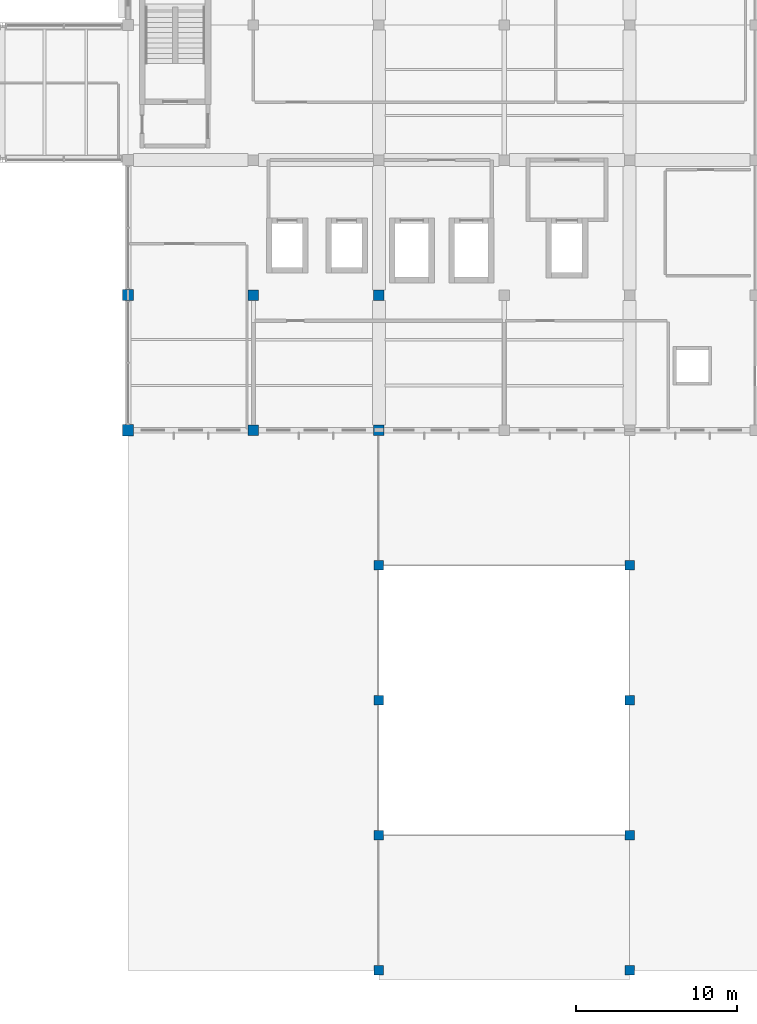
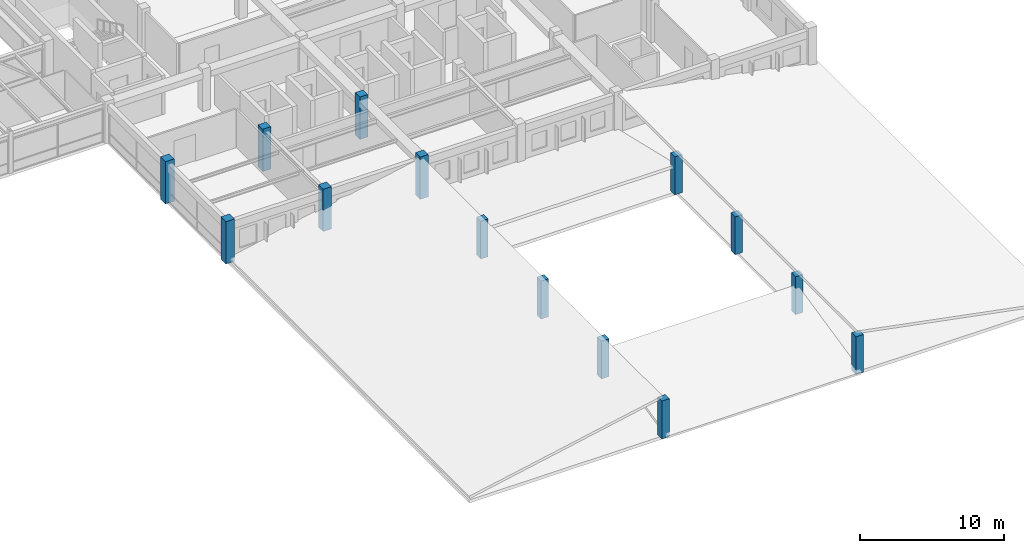
# One storey, part 3 of 49: 14 columns.
"""IFC4 building model written with IfcOpenShell, lengths in metres."""

from ifc_helpers import new_model, si_unit, direction, frame, origin, origin_2d, place, context, subcontext, project, spatial, rectangle, extrude, material, material_profile, profile_set, type_object, element, save


model = new_model("IFC4")

# Units and contexts
model_context = context("Model", 3, precision=1e-05, world=origin(), true_north=direction((0.0, 1.0)))
body_context = subcontext(model_context, "Body", "Model", "MODEL_VIEW")
ifc_project = project(units=[si_unit("LENGTHUNIT", "METRE"), si_unit("AREAUNIT", "SQUARE_METRE"), si_unit("VOLUMEUNIT", "CUBIC_METRE"), si_unit("PLANEANGLEUNIT", "RADIAN"), si_unit("MASSUNIT", "GRAM", prefix="KILO"), si_unit("THERMODYNAMICTEMPERATUREUNIT", "KELVIN"), si_unit("POWERUNIT", "WATT")], contexts=[model_context])

# Site, building, storey
site_placement = place(None, origin())
site = spatial("IfcSite", under=ifc_project, at=site_placement, CompositionType="ELEMENT")
building_placement = place(site_placement, origin())
building = spatial("IfcBuilding", under=site, at=building_placement, Name="Srebrne Nadtorze General Hospital", CompositionType="ELEMENT")
storey_placement = place(building_placement, frame((0.0, 0.0, 26.10009765625)))
storey = spatial("IfcBuildingStorey", under=building, at=storey_placement, Name="L06", CompositionType="ELEMENT", Elevation=26.10009765625)

# Columns
ifc_material_1 = material(Name="Concrete C35/45", Category="concrete")
ifc_material_profile_1 = material_profile(ifc_material_1, rectangle(XDim=0.60009765625, YDim=0.60009765625, at=origin_2d()), Name="RC-COL-600x600")
ifc_profile_set_1 = profile_set([ifc_material_profile_1], Name="Concrete C35/45")
column_type_1 = type_object("IfcColumnType", Name="Reinforced concrete column 600x600", PredefinedType="COLUMN", material=ifc_profile_set_1)
for number, where, z_axis, x_axis, name in (
    (1, (117.0, 0.0, 0.0), (0.0, 0.0, 1.0), (1.0, 0.0, 0.0), "Pavilion roof ridge column CLN 01"),
    (2, (117.0, 8.39990234375, 0.0), (0.0, 0.0, 1.0), (1.0, 0.0, 0.0), "Pavilion roof ridge column CLN 02"),
    (3, (117.0, 16.800048828125, 0.0), (0.0, 0.0, 1.0), (1.0, 0.0, 0.0), "Pavilion roof ridge column CLN 03"),
    (4, (117.0, 25.199951171875, 0.0), (0.0, 0.0, 1.0), (1.0, 0.0, 0.0), "Pavilion roof ridge column CLN 04"),
    (5, (132.60009765625, 0.0, 0.0), (0.0, 0.0, 1.0), (1.0, 0.0, 0.0), "Pavilion roof ridge column CLN 06"),
    (6, (132.60009765625, 8.39990234375, 0.0), (0.0, 0.0, 1.0), (1.0, 0.0, 0.0), "Pavilion roof ridge column CLN 07"),
    (7, (132.60009765625, 16.800048828125, 0.0), (0.0, 0.0, 1.0), (1.0, 0.0, 0.0), "Pavilion roof ridge column CLN 08"),
    (8, (132.60009765625, 25.199951171875, 0.0), (0.0, 0.0, 1.0), (1.0, 0.0, 0.0), "Pavilion roof ridge column CLN 09"),
):
    element("IfcColumn", number, at=place(storey_placement, frame(where, z_axis=z_axis, x_axis=x_axis)), inside=storey, type_object=column_type_1, Name=name, PredefinedType="COLUMN", context=body_context, shape_type="SweptSolid", body=[
        extrude(rectangle(XDim=0.60009765625, YDim=0.60009765625, at=origin_2d()), origin(), (0.0, 0.0, 1.0), 3.219970703125),
    ])
ifc_material_2 = material(Name="Concrete C35/45", Category="concrete")
ifc_material_profile_2 = material_profile(ifc_material_2, rectangle(XDim=0.64990234375, YDim=0.64990234375, at=origin_2d()), Name="RC-COL-650x650")
ifc_profile_set_2 = profile_set([ifc_material_profile_2], Name="Concrete C35/45")
column_type_2 = type_object("IfcColumnType", Name="Reinforced concrete column 650x650", PredefinedType="COLUMN", material=ifc_profile_set_2)
for number, where, z_axis, x_axis, name in (
    (9, (109.199951171875, 33.60009765625, 0.0), (0.0, 0.0, 1.0), (1.0, 0.0, 0.0), "Column CL-L06-15-E"),
    (10, (109.199951171875, 42.0, 0.0), (0.0, 0.0, 1.0), (1.0, 0.0, 0.0), "Column CL-L06-15-F"),
    (11, (117.0, 33.60009765625, 0.0), (0.0, 0.0, 1.0), (1.0, 0.0, 0.0), "Column CL-L06-16-E"),
    (12, (117.0, 42.0, 0.0), (0.0, 0.0, 1.0), (1.0, 0.0, 0.0), "Column CL-L06-16-F"),
):
    element("IfcColumn", number, at=place(storey_placement, frame(where, z_axis=z_axis, x_axis=x_axis)), inside=storey, type_object=column_type_2, Name=name, PredefinedType="COLUMN", context=body_context, shape_type="SweptSolid", body=[
        extrude(rectangle(XDim=0.64990234375, YDim=0.64990234375, at=origin_2d()), origin(), (0.0, 0.0, 1.0), 3.599853515625),
    ])
ifc_material_3 = material(Name="Concrete C40/50", Category="concrete")
ifc_material_profile_3 = material_profile(ifc_material_3, rectangle(XDim=0.699951171875, YDim=0.699951171875, at=origin_2d()), Name="RC-COL-700x700")
ifc_profile_set_3 = profile_set([ifc_material_profile_3], Name="Concrete C40/50")
column_type_3 = type_object("IfcColumnType", Name="Reinforced concrete column 700x700", PredefinedType="COLUMN", material=ifc_profile_set_3)
for number, where, z_axis, x_axis, name in (
    (13, (101.39990234375, 33.60009765625, 0.0), (0.0, 0.0, 1.0), (1.0, 0.0, 0.0), "Column CL-L06-14-E"),
    (14, (101.39990234375, 42.0, 0.0), (0.0, 0.0, 1.0), (1.0, 0.0, 0.0), "Column CL-L06-14-F"),
):
    element("IfcColumn", number, at=place(storey_placement, frame(where, z_axis=z_axis, x_axis=x_axis)), inside=storey, type_object=column_type_3, Name=name, PredefinedType="COLUMN", context=body_context, shape_type="SweptSolid", body=[
        extrude(rectangle(XDim=0.699951171875, YDim=0.699951171875, at=origin_2d()), origin(), (0.0, 0.0, 1.0), 3.599853515625),
    ])

save(model, "model.ifc")
